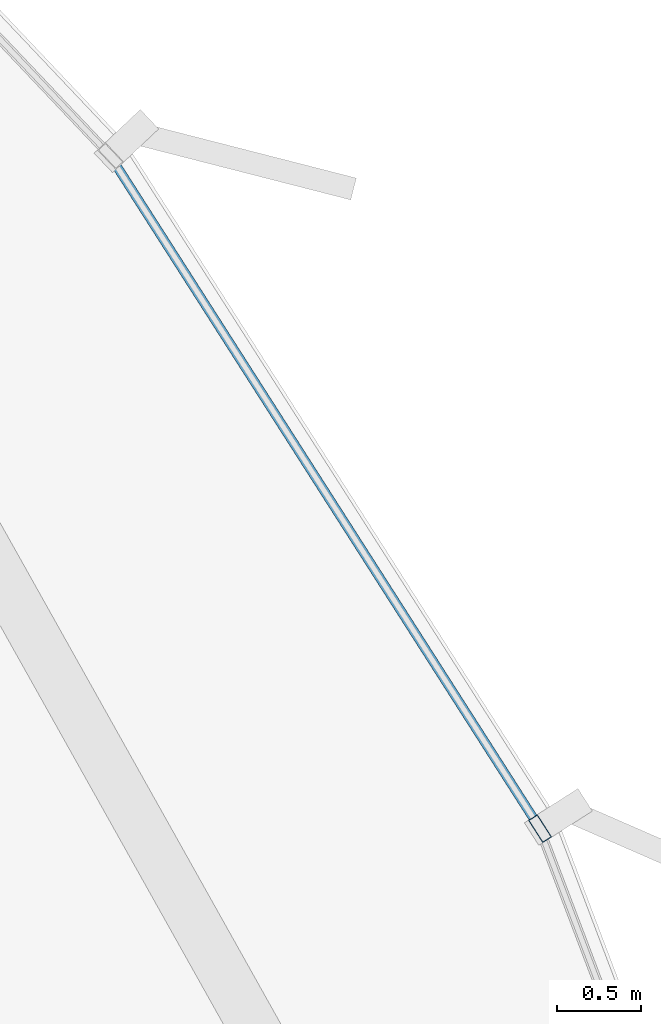
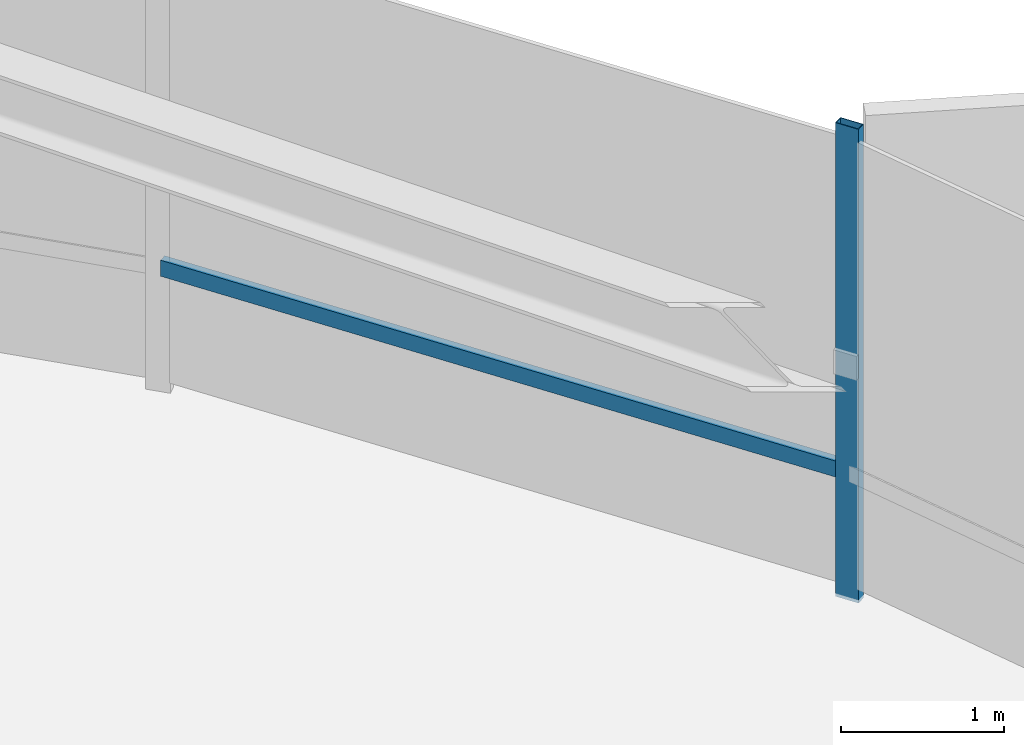
# One storey, part 27 of 42: 2 members, 1 element without a shape of its own.
"""IFC4 building model written with IfcOpenShell, lengths in metres."""

from ifc_helpers import new_model, si_unit, direction, frame, origin, origin_2d, place, context, subcontext, project, spatial, hollow_rectangle, extrude, source, transform, mapped, material, layer, layer_set, material_profile, profile_set, type_object, element, aggregate, save


model = new_model("IFC4")

# Units and contexts
model_context = context("Model", 3, precision=1e-05, world=origin(), true_north=direction((0.0, 1.0)))
body_context = subcontext(model_context, "Body", "Model", "MODEL_VIEW")
ifc_project = project(units=[si_unit("LENGTHUNIT", "METRE"), si_unit("AREAUNIT", "SQUARE_METRE"), si_unit("VOLUMEUNIT", "CUBIC_METRE"), si_unit("PLANEANGLEUNIT", "RADIAN"), si_unit("MASSUNIT", "GRAM", prefix="KILO"), si_unit("THERMODYNAMICTEMPERATUREUNIT", "KELVIN")], contexts=[model_context])

# Site, building, storey
site_placement = place(None, origin())
site = spatial("IfcSite", under=ifc_project, at=site_placement, CompositionType="ELEMENT")
building_placement = place(site_placement, origin())
building = spatial("IfcBuilding", under=site, at=building_placement, Name="Kethvar Cultural Tower", CompositionType="ELEMENT")
storey_placement = place(building_placement, frame((0.0, 0.0, 37.199951171875)))
storey = spatial("IfcBuildingStorey", under=building, at=storey_placement, Name="L08", CompositionType="ELEMENT", Elevation=37.199951171875)

# Curtain wall, members
ifc_material = material(Name="Aluminium 6063-T6", Category="aluminium")
ifc_layer = layer(ifc_material, 0.179931640625, Name="Aluminium 6063-T6", Category="aluminium")
ifc_layer_set = layer_set([ifc_layer], Name="Aluminium 6063-T6 (180 mm)")
curtain_wall_type = type_object("IfcCurtainWallType", Name="CW-SYS-02-Z1", PredefinedType="NOTDEFINED", material=ifc_layer_set)
curtain_wall_placement = place(storey_placement, origin())
curtain_wall = element("IfcCurtainWall", 1, at=curtain_wall_placement, inside=storey, type_object=curtain_wall_type, Name="L08 Curtain Wall Run 01", PredefinedType="NOTDEFINED")
ifc_material_profile_1 = material_profile(ifc_material, hollow_rectangle(XDim=0.06494140625, YDim=0.159912109375, WallThickness=0.0048828125, at=origin_2d()), Name="Aluminium 6063-T6 — RHS160x65x5")
ifc_profile_set_1 = profile_set([ifc_material_profile_1], Name="Aluminium 6063-T6 — RHS160x65x5")
member_type_1 = type_object("IfcMemberType", Name="CW-SYS-02-Z1-MUL", PredefinedType="MULLION", material=ifc_profile_set_1)
shared_shape_1 = source(origin(), body_context, "Body", "SweptSolid", [
    extrude(hollow_rectangle(XDim=0.06494140625, YDim=0.159912109375, WallThickness=0.0048828125, at=origin_2d()), origin(), (0.0, 0.0, 1.0), 3.550048828125),
])
member_1_placement = place(storey_placement, frame((76.900634765625, 37.609619140625, 0.0), z_axis=(0.0, 0.0, 1.0), x_axis=(-0.842621615265, -0.538506094198, 0.0)))
member_1 = element("IfcMember", 2, at=member_1_placement, type_object=member_type_1, Name="CW-L08-R01 Mullion 3", PredefinedType="MULLION", context=body_context, shape_type="MappedRepresentation", body=[
    mapped(shared_shape_1, transform((0.0, 0.0, 0.0), scale=1.0)),
])
ifc_material_profile_2 = material_profile(ifc_material, hollow_rectangle(XDim=0.054931640625, YDim=0.1201171875, WallThickness=0.00390625, at=origin_2d()), Name="Aluminium 6063-T6 — RHS120x55x4")
ifc_profile_set_2 = profile_set([ifc_material_profile_2], Name="Aluminium 6063-T6 — RHS120x55x4")
member_type_2 = type_object("IfcMemberType", Name="CW-SYS-02-Z1-TRN", PredefinedType="USERDEFINED", material=ifc_profile_set_2)
shared_shape_2 = source(origin(), body_context, "Body", "SweptSolid", [
    extrude(hollow_rectangle(XDim=0.054931640625, YDim=0.1201171875, WallThickness=0.00390625, at=origin_2d()), origin(), (0.0, 0.0, 1.0), 4.702392578125),
])
member_2_placement = place(storey_placement, frame((76.87548828125, 37.649169921875, 0.949951171875), z_axis=(-0.538493734873, 0.842629513786, 0.0), x_axis=(-0.842629513786, -0.538493734873, 0.0)))
member_2 = element("IfcMember", 3, at=member_2_placement, type_object=member_type_2, Name="CW-L08-R01 Transom 3", ObjectType="TRANSOM", PredefinedType="USERDEFINED", context=body_context, shape_type="MappedRepresentation", body=[
    mapped(shared_shape_2, transform((0.0, 0.0, 0.0), scale=1.0)),
])
aggregate(curtain_wall, [member_1, member_2])

save(model, "model.ifc")
